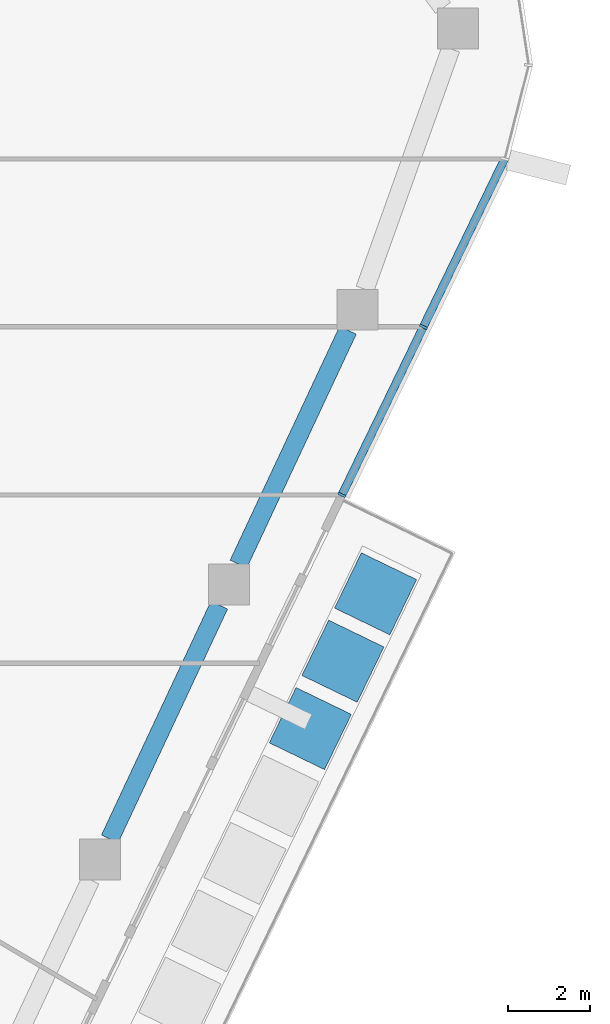
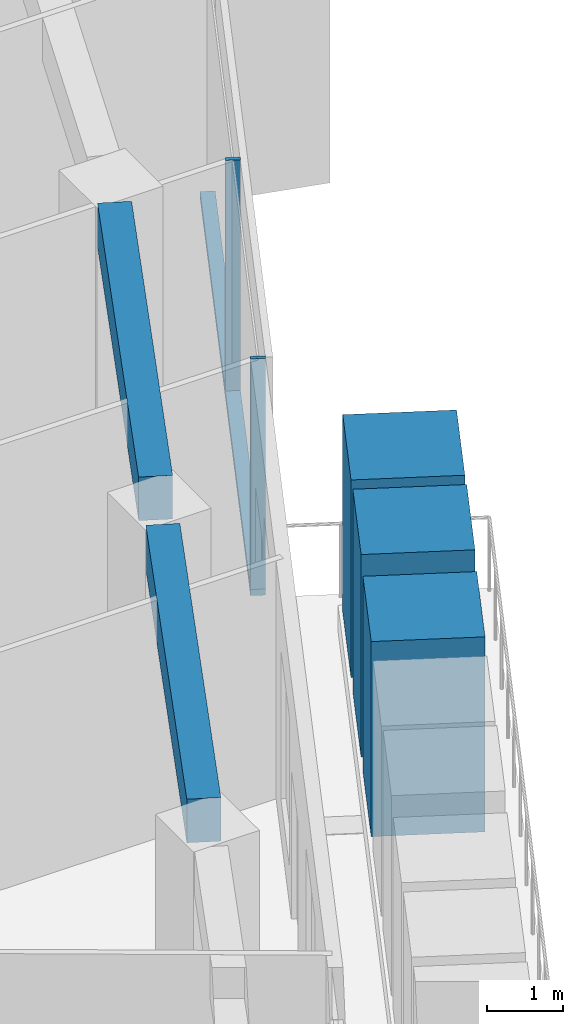
# One storey, part 5 of 24: 6 members, 2 beams, 1 element without a shape of its own.
"""IFC4 building model written with IfcOpenShell, lengths in metres."""

from ifc_helpers import new_model, si_unit, direction, frame, origin, origin_2d, place, context, subcontext, project, spatial, rectangle, extrude, material, layer, layer_set, material_profile, profile_set, type_object, element, aggregate, save


model = new_model("IFC4")

# Units and contexts
model_context = context("Model", 3, precision=1e-05, world=origin(), true_north=direction((0.0, 1.0)))
body_context = subcontext(model_context, "Body", "Model", "MODEL_VIEW")
ifc_project = project(units=[si_unit("LENGTHUNIT", "METRE"), si_unit("AREAUNIT", "SQUARE_METRE"), si_unit("VOLUMEUNIT", "CUBIC_METRE"), si_unit("PLANEANGLEUNIT", "RADIAN"), si_unit("MASSUNIT", "GRAM", prefix="KILO")], contexts=[model_context])

# Site, building, storey
site_placement = place(None, origin())
site = spatial("IfcSite", under=ifc_project, at=site_placement, CompositionType="ELEMENT")
building_placement = place(site_placement, origin())
building = spatial("IfcBuilding", under=site, at=building_placement, Name="Dongbaek Canopy Tower", CompositionType="ELEMENT")
storey_placement = place(building_placement, frame((0.0, 0.0, 294.199951171875)))
storey = spatial("IfcBuildingStorey", under=building, at=storey_placement, Name="L62", CompositionType="ELEMENT", Elevation=294.199951171875)

# Curtain wall, members
ifc_material_1 = material(Name="Aluminium 6063-T6 pale anodised", Category="aluminium")
ifc_layer = layer(ifc_material_1, 0.199951171875)
ifc_layer_set = layer_set([ifc_layer], Name="CW-1 unitised tower curtain wall")
curtain_wall_type = type_object("IfcCurtainWallType", Name="CW-1 unitised tower curtain wall", PredefinedType="NOTDEFINED", material=ifc_layer_set)
curtain_wall_placement = place(storey_placement, origin())
curtain_wall = element("IfcCurtainWall", 1, at=curtain_wall_placement, inside=storey, type_object=curtain_wall_type, Name="CW-1 curtain wall F5.1", PredefinedType="NOTDEFINED")
ifc_material_2 = material(Name="Aluminium 6063-T6 pale anodised", Category="aluminium")
ifc_material_profile_1 = material_profile(ifc_material_2, rectangle(XDim=0.199951171875, YDim=0.06005859375, at=origin_2d()), Name="CW-1 mullion 60 x 200")
ifc_profile_set_1 = profile_set([ifc_material_profile_1], Name="Aluminium 6063-T6 pale anodised")
member_type_1 = type_object("IfcMemberType", Name="CW-1 mullion 60 x 200", PredefinedType="MULLION", material=ifc_profile_set_1)
member_1_placement = place(storey_placement, frame((27.970703125, -4.69189453125, 0.1201171875), z_axis=(0.0, 0.0, 1.0), x_axis=(0.900012864193, -0.435863332121, 0.0)))
member_1 = element("IfcMember", 2, at=member_1_placement, type_object=member_type_1, Name="CW-1 mullion F5.1.1", PredefinedType="MULLION", context=body_context, shape_type="SweptSolid", body=[
    extrude(rectangle(XDim=0.199951171875, YDim=0.06005859375, at=origin_2d()), origin(), (0.0, 0.0, 1.0), 3.699951171875),
])
member_2_placement = place(storey_placement, frame((29.959228515625, -0.5859375, 0.1201171875), z_axis=(0.0, 0.0, 1.0), x_axis=(0.900012864193, -0.435863332121, 0.0)))
member_2 = element("IfcMember", 3, at=member_2_placement, type_object=member_type_1, Name="CW-1 mullion F5.1.2", PredefinedType="MULLION", context=body_context, shape_type="SweptSolid", body=[
    extrude(rectangle(XDim=0.199951171875, YDim=0.06005859375, at=origin_2d()), origin(), (0.0, 0.0, 1.0), 3.699951171875),
])
ifc_material_3 = material(Name="Aluminium 6063-T6 pale anodised", Category="aluminium")
ifc_material_profile_2 = material_profile(ifc_material_3, rectangle(XDim=0.199951171875, YDim=0.1201171875, at=origin_2d()), Name="CW-1 transom 120 x 200")
ifc_profile_set_2 = profile_set([ifc_material_profile_2], Name="Aluminium 6063-T6 pale anodised")
member_type_2 = type_object("IfcMemberType", Name="CW-1 transom 120 x 200", PredefinedType="USERDEFINED", material=ifc_profile_set_2)
member_3_placement = place(storey_placement, frame((27.970703125, -4.69189453125, 0.06005859375), z_axis=(0.435863365073, 0.900012848234, 0.0), x_axis=(-0.900012848234, 0.435863365073, 0.0)))
member_3 = element("IfcMember", 4, at=member_3_placement, type_object=member_type_2, Name="CW-1 transom F5.1.1", ObjectType="TRANSOM", PredefinedType="USERDEFINED", context=body_context, shape_type="SweptSolid", body=[
    extrude(rectangle(XDim=0.199951171875, YDim=0.1201171875, at=origin_2d()), origin(), (0.0, 0.0, 1.0), 9.114501953125),
])
aggregate(curtain_wall, [member_1, member_2, member_3])

# Beams
ifc_material_4 = material(Name="Concrete C60", Category="concrete")
ifc_material_profile_3 = material_profile(ifc_material_4, rectangle(XDim=0.449951171875, YDim=0.699951171875, at=origin_2d()), Name="RC EDGE BEAM 450x700 C60")
ifc_profile_set_3 = profile_set([ifc_material_profile_3], Name="Concrete C60")
beam_type = type_object("IfcBeamType", Name="RC EDGE BEAM 450x700 C60", PredefinedType="BEAM", material=ifc_profile_set_3)
beam_1_placement = place(storey_placement, frame((28.116943359375, -0.669921875, 3.469970703125), z_axis=(-0.42401310583, -0.905656052861, 0.0), x_axis=(0.905656052861, -0.42401310583, 0.0)))
element("IfcBeam", 5, at=beam_1_placement, inside=storey, type_object=beam_type, Name="EDGEBEAM:L62:22", PredefinedType="BEAM", context=body_context, shape_type="SweptSolid", body=[
    extrude(rectangle(XDim=0.449951171875, YDim=0.699951171875, at=origin_2d()), origin(), (0.0, 0.0, 1.0), 6.3037109375),
])
beam_2_placement = place(storey_placement, frame((24.975830078125, -7.37890625, 3.469970703125), z_axis=(-0.424108398663, -0.905611432229, 0.0), x_axis=(0.905611432229, -0.424108398663, 0.0)))
element("IfcBeam", 6, at=beam_2_placement, inside=storey, type_object=beam_type, Name="EDGEBEAM:L62:23", PredefinedType="BEAM", context=body_context, shape_type="SweptSolid", body=[
    extrude(rectangle(XDim=0.449951171875, YDim=0.699951171875, at=origin_2d()), origin(), (0.0, 0.0, 1.0), 6.303955078125),
])

# Members
ifc_material_5 = material(Name="Concrete C40/50 planter mass with planting", Category="concrete")
ifc_material_profile_4 = material_profile(ifc_material_5, rectangle(XDim=1.5, YDim=1.5, at=origin_2d()), Name="Terrace PLANTER shrub mass 1500 x 1500")
ifc_profile_set_4 = profile_set([ifc_material_profile_4], Name="Concrete C40/50 planter mass with planting")
member_type_3 = type_object("IfcMemberType", Name="Terrace PLANTER shrub mass 1500 x 1500", PredefinedType="USERDEFINED", material=ifc_profile_set_4)
member_4_placement = place(storey_placement, frame((27.197998046875, -10.394287109375, 0.420166015625), z_axis=(0.0, 0.0, 1.0), x_axis=(0.900012864193, -0.435863332121, 0.0)))
element("IfcMember", 7, at=member_4_placement, inside=storey, type_object=member_type_3, Name="Planter shrubs L62 5.7", ObjectType="PLANTER", PredefinedType="USERDEFINED", context=body_context, shape_type="SweptSolid", body=[
    extrude(rectangle(XDim=1.5, YDim=1.5, at=origin_2d()), origin(), (0.0, 0.0, 1.0), 3.1298828125),
])
member_5_placement = place(storey_placement, frame((27.99462890625, -8.74951171875, 0.420166015625), z_axis=(0.0, 0.0, 1.0), x_axis=(0.900012864193, -0.435863332121, 0.0)))
element("IfcMember", 8, at=member_5_placement, inside=storey, type_object=member_type_3, Name="Planter shrubs L62 5.8", ObjectType="PLANTER", PredefinedType="USERDEFINED", context=body_context, shape_type="SweptSolid", body=[
    extrude(rectangle(XDim=1.5, YDim=1.5, at=origin_2d()), origin(), (0.0, 0.0, 1.0), 3.25),
])
member_6_placement = place(storey_placement, frame((28.791259765625, -7.1044921875, 0.420166015625), z_axis=(0.0, 0.0, 1.0), x_axis=(0.900012864193, -0.435863332121, 0.0)))
element("IfcMember", 9, at=member_6_placement, inside=storey, type_object=member_type_3, Name="Planter shrubs L62 5.9", ObjectType="PLANTER", PredefinedType="USERDEFINED", context=body_context, shape_type="SweptSolid", body=[
    extrude(rectangle(XDim=1.5, YDim=1.5, at=origin_2d()), origin(), (0.0, 0.0, 1.0), 3.169921875),
])

save(model, "model.ifc")
